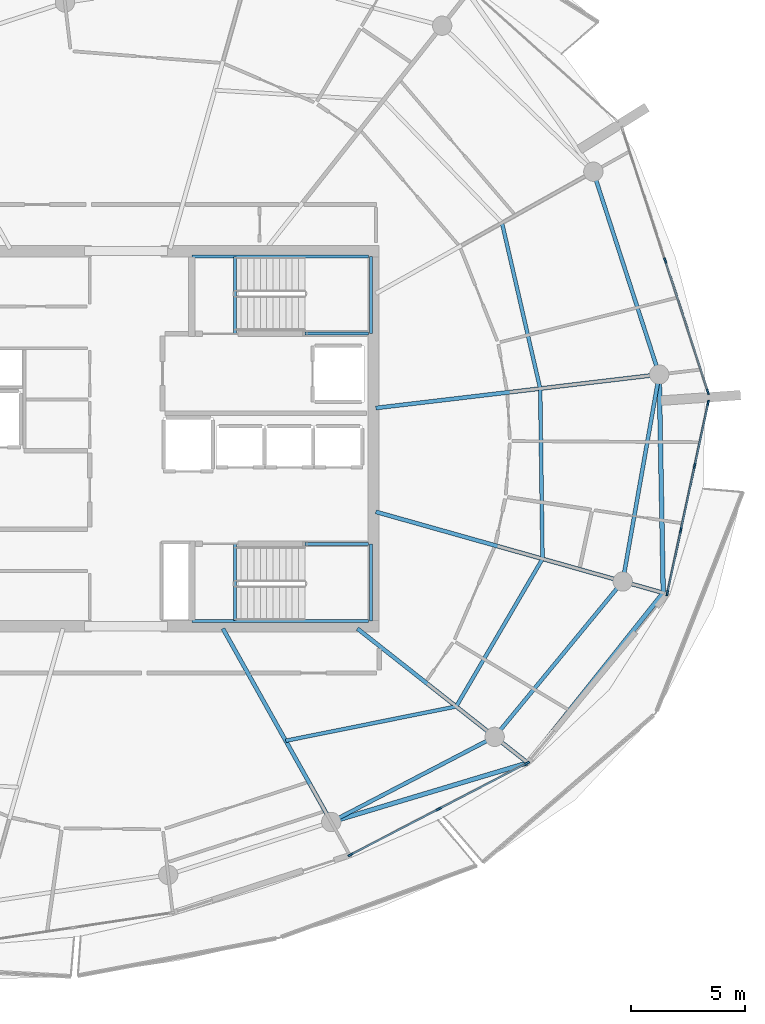
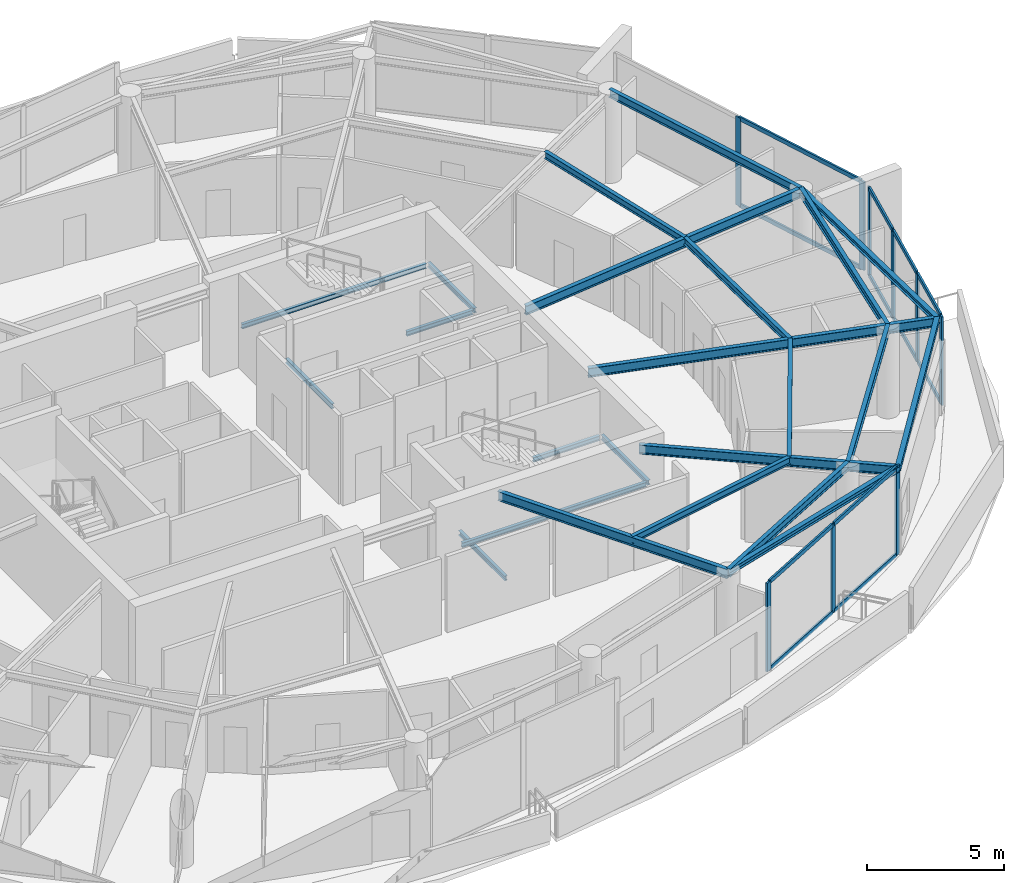
# One storey, part 6 of 20: 23 beams, 21 members, 3 elements without a shape of their own.
"""IFC4 building model written with IfcOpenShell, lengths in metres."""

from ifc_helpers import new_model, si_unit, direction, frame, origin, origin_2d, place, context, subcontext, project, spatial, rectangle, i_section, extrude, material, layer, layer_set, material_profile, profile_set, type_object, element, aggregate, save


model = new_model("IFC4")

# Units and contexts
model_context = context("Model", 3, precision=1e-05, world=origin(), true_north=direction((0.0, 1.0)))
body_context = subcontext(model_context, "Body", "Model", "MODEL_VIEW")
ifc_project = project(units=[si_unit("LENGTHUNIT", "METRE"), si_unit("AREAUNIT", "SQUARE_METRE"), si_unit("VOLUMEUNIT", "CUBIC_METRE"), si_unit("PLANEANGLEUNIT", "RADIAN"), si_unit("MASSUNIT", "GRAM", prefix="KILO")], contexts=[model_context])

# Site, building, storey
site_placement = place(None, origin())
site = spatial("IfcSite", under=ifc_project, at=site_placement, CompositionType="ELEMENT")
building_placement = place(site_placement, origin())
building = spatial("IfcBuilding", under=site, at=building_placement, Name="Kazma Halo Residences", CompositionType="ELEMENT")
storey_placement = place(building_placement, frame((0.0, 0.0, 317.89990234375)))
storey = spatial("IfcBuildingStorey", under=building, at=storey_placement, Name="L80", CompositionType="ELEMENT", Elevation=317.89990234375)

# Beams
ifc_material_1 = material(Name="Steel S355", Category="steel")
ifc_material_profile_1 = material_profile(ifc_material_1, i_section(OverallWidth=0.201904296875, OverallDepth=0.2470703125, WebThickness=0.00732421875, FlangeThickness=0.010986328125, FilletRadius=0.011962890625, at=origin_2d()), Name="W250x49.1")
ifc_profile_set_1 = profile_set([ifc_material_profile_1], Name="Steel S355")
beam_type_1 = type_object("IfcBeamType", Name="BM-BAL-CANT", PredefinedType="BEAM", material=ifc_profile_set_1)
beam_1_placement = place(storey_placement, frame((57.436767578125, 25.1494140625, 3.816650390625), z_axis=(0.957652623349, 0.287926124193, 0.0), x_axis=(-0.287926124193, 0.957652623349, 0.0)))
element("IfcBeam", 1, at=beam_1_placement, inside=storey, type_object=beam_type_1, Name="L80 wave-balcony lead tie beam 13", PredefinedType="BEAM", context=body_context, shape_type="SweptSolid", body=[
    extrude(i_section(OverallWidth=0.201904296875, OverallDepth=0.2470703125, WebThickness=0.00732421875, FlangeThickness=0.010986328125, FilletRadius=0.011962890625, at=origin_2d()), origin(), (0.0, 0.0, 1.0), 9.0244140625),
])
beam_2_placement = place(storey_placement, frame((66.0791015625, 27.747802734375, 3.816650390625), z_axis=(0.623310870646, 0.781974141858, 0.0), x_axis=(-0.781974141858, 0.623310870646, 0.0)))
element("IfcBeam", 2, at=beam_2_placement, inside=storey, type_object=beam_type_1, Name="L80 wave-balcony tie beam 14", PredefinedType="BEAM", context=body_context, shape_type="SweptSolid", body=[
    extrude(i_section(OverallWidth=0.201904296875, OverallDepth=0.2470703125, WebThickness=0.00732421875, FlangeThickness=0.010986328125, FilletRadius=0.011962890625, at=origin_2d()), origin(), (0.0, 0.0, 1.0), 9.55712890625),
])
beam_3_placement = place(storey_placement, frame((72.0361328125, 35.22119140625, 3.816650390625), z_axis=(-0.018301708623, 0.999832509704, 0.0), x_axis=(-0.999832509704, -0.018301708623, 0.0)))
element("IfcBeam", 3, at=beam_3_placement, inside=storey, type_object=beam_type_1, Name="L80 wave-balcony tie beam 15", PredefinedType="BEAM", context=body_context, shape_type="SweptSolid", body=[
    extrude(i_section(OverallWidth=0.201904296875, OverallDepth=0.2470703125, WebThickness=0.00732421875, FlangeThickness=0.010986328125, FilletRadius=0.011962890625, at=origin_2d()), origin(), (0.0, 0.0, 1.0), 9.604736328125),
])
ifc_material_profile_2 = material_profile(ifc_material_1, i_section(OverallWidth=0.177978515625, OverallDepth=0.406982421875, WebThickness=0.0078125, FlangeThickness=0.0126953125, FilletRadius=0.013916015625, at=origin_2d()), Name="W410x60")
ifc_profile_set_2 = profile_set([ifc_material_profile_2], Name="Steel S355")
beam_type_2 = type_object("IfcBeamType", Name="BM-RAD-W410", PredefinedType="BEAM", material=ifc_profile_set_2)
beam_4_placement = place(storey_placement, frame((52.67626953125, 33.64990234375, 3.736572265625), z_axis=(0.488620919127, -0.872496187608, 0.0), x_axis=(0.872496187608, 0.488620919127, 0.0)))
element("IfcBeam", 4, at=beam_4_placement, inside=storey, type_object=beam_type_2, Name="L80 radial floor beam 13", PredefinedType="BEAM", context=body_context, shape_type="SweptSolid", body=[
    extrude(i_section(OverallWidth=0.177978515625, OverallDepth=0.406982421875, WebThickness=0.0078125, FlangeThickness=0.0126953125, FilletRadius=0.013916015625, at=origin_2d()), origin(), (0.0, 0.0, 1.0), 9.74267578125),
])
beam_5_placement = place(storey_placement, frame((58.591796875, 33.64990234375, 3.736572265625), z_axis=(0.785338117696, -0.619067073017, 0.0), x_axis=(0.619067073017, 0.785338117696, 0.0)))
element("IfcBeam", 5, at=beam_5_placement, inside=storey, type_object=beam_type_2, Name="L80 radial floor beam 14", PredefinedType="BEAM", context=body_context, shape_type="SweptSolid", body=[
    extrude(i_section(OverallWidth=0.177978515625, OverallDepth=0.406982421875, WebThickness=0.0078125, FlangeThickness=0.0126953125, FilletRadius=0.013916015625, at=origin_2d()), origin(), (0.0, 0.0, 1.0), 9.533935546875),
])
beam_6_placement = place(storey_placement, frame((59.39990234375, 38.784912109375, 3.736572265625), z_axis=(0.962456527183, -0.271435873243, 0.0), x_axis=(0.271435873243, 0.962456527183, 0.0)))
element("IfcBeam", 6, at=beam_6_placement, inside=storey, type_object=beam_type_2, Name="L80 radial floor beam 15", PredefinedType="BEAM", context=body_context, shape_type="SweptSolid", body=[
    extrude(i_section(OverallWidth=0.177978515625, OverallDepth=0.406982421875, WebThickness=0.0078125, FlangeThickness=0.0126953125, FilletRadius=0.013916015625, at=origin_2d()), origin(), (0.0, 0.0, 1.0), 13.129150390625),
])
beam_7_placement = place(storey_placement, frame((59.39990234375, 43.349365234375, 3.736572265625), z_axis=(0.993067878665, 0.117542283299, 0.0), x_axis=(-0.117542283299, 0.993067878665, 0.0)))
element("IfcBeam", 7, at=beam_7_placement, inside=storey, type_object=beam_type_2, Name="L80 radial floor beam 16", PredefinedType="BEAM", context=body_context, shape_type="SweptSolid", body=[
    extrude(i_section(OverallWidth=0.177978515625, OverallDepth=0.406982421875, WebThickness=0.0078125, FlangeThickness=0.0126953125, FilletRadius=0.013916015625, at=origin_2d()), origin(), (0.0, 0.0, 1.0), 12.54736328125),
])
ifc_material_profile_3 = material_profile(ifc_material_1, i_section(OverallWidth=0.1650390625, OverallDepth=0.31005859375, WebThickness=0.005859375, FlangeThickness=0.009765625, FilletRadius=0.011962890625, at=origin_2d()), Name="W310x38.7")
ifc_profile_set_3 = profile_set([ifc_material_profile_3], Name="Steel S355")
beam_type_3 = type_object("IfcBeamType", Name="BM-SEC-W310B", PredefinedType="JOIST", material=ifc_profile_set_3)
beam_8_placement = place(storey_placement, frame((55.437255859375, 28.719482421875, 3.78515625), z_axis=(0.980381248206, 0.197110649551, 0.0), x_axis=(-0.197110649551, 0.980381248206, 0.0)))
element("IfcBeam", 8, at=beam_8_placement, inside=storey, type_object=beam_type_3, Name="L80 circumferential floor joist 13", PredefinedType="JOIST", context=body_context, shape_type="SweptSolid", body=[
    extrude(i_section(OverallWidth=0.1650390625, OverallDepth=0.31005859375, WebThickness=0.005859375, FlangeThickness=0.009765625, FilletRadius=0.011962890625, at=origin_2d()), origin(), (0.0, 0.0, 1.0), 7.647216796875),
])
beam_9_placement = place(storey_placement, frame((62.934326171875, 30.226806640625, 3.78515625), z_axis=(0.504678344784, 0.863307458734, 0.0), x_axis=(-0.863307458734, 0.504678344784, 0.0)))
element("IfcBeam", 9, at=beam_9_placement, inside=storey, type_object=beam_type_3, Name="L80 circumferential floor joist 14", PredefinedType="JOIST", context=body_context, shape_type="SweptSolid", body=[
    extrude(i_section(OverallWidth=0.1650390625, OverallDepth=0.31005859375, WebThickness=0.005859375, FlangeThickness=0.009765625, FilletRadius=0.011962890625, at=origin_2d()), origin(), (0.0, 0.0, 1.0), 7.51904296875),
])
beam_10_placement = place(storey_placement, frame((66.72900390625, 36.718017578125, 3.78515625), z_axis=(-0.013629909387, 0.999907108471, 0.0), x_axis=(-0.999907108471, -0.013629909387, 0.0)))
element("IfcBeam", 10, at=beam_10_placement, inside=storey, type_object=beam_type_3, Name="L80 circumferential floor joist 15", PredefinedType="JOIST", context=body_context, shape_type="SweptSolid", body=[
    extrude(i_section(OverallWidth=0.1650390625, OverallDepth=0.31005859375, WebThickness=0.005859375, FlangeThickness=0.009765625, FilletRadius=0.011962890625, at=origin_2d()), origin(), (0.0, 0.0, 1.0), 7.4873046875),
])
beam_11_placement = place(storey_placement, frame((66.626953125, 44.20458984375, 3.78515625), z_axis=(-0.224709269338, 0.974425853656, 0.0), x_axis=(-0.974425853656, -0.224709269338, 0.0)))
element("IfcBeam", 11, at=beam_11_placement, inside=storey, type_object=beam_type_3, Name="L80 circumferential floor joist 16", PredefinedType="JOIST", context=body_context, shape_type="SweptSolid", body=[
    extrude(i_section(OverallWidth=0.1650390625, OverallDepth=0.31005859375, WebThickness=0.005859375, FlangeThickness=0.009765625, FilletRadius=0.011962890625, at=origin_2d()), origin(), (0.0, 0.0, 1.0), 7.47705078125),
])
ifc_material_profile_4 = material_profile(ifc_material_1, i_section(OverallWidth=0.1708984375, OverallDepth=0.35498046875, WebThickness=0.007080078125, FlangeThickness=0.01171875, FilletRadius=0.013916015625, at=origin_2d()), Name="W360x51")
ifc_profile_set_4 = profile_set([ifc_material_profile_4], Name="Steel S355")
beam_type_4 = type_object("IfcBeamType", Name="BM-SPN-W360", PredefinedType="BEAM", material=ifc_profile_set_4)
beam_12_placement = place(storey_placement, frame((57.436767578125, 25.1494140625, 3.7626953125), z_axis=(0.886957269655, 0.461851493238, 0.0), x_axis=(-0.461851493238, 0.886957269655, 0.0)))
element("IfcBeam", 12, at=beam_12_placement, inside=storey, type_object=beam_type_4, Name="L80 perimeter ring beam 13", PredefinedType="BEAM", context=body_context, shape_type="SweptSolid", body=[
    extrude(i_section(OverallWidth=0.1708984375, OverallDepth=0.35498046875, WebThickness=0.007080078125, FlangeThickness=0.01171875, FilletRadius=0.013916015625, at=origin_2d()), origin(), (0.0, 0.0, 1.0), 8.105712890625),
])
beam_13_placement = place(storey_placement, frame((64.626220703125, 28.89306640625, 3.7626953125), z_axis=(0.636004986424, 0.771684946881, 0.0), x_axis=(-0.771684946881, 0.636004986424, 0.0)))
element("IfcBeam", 13, at=beam_13_placement, inside=storey, type_object=beam_type_4, Name="L80 perimeter ring beam 14", PredefinedType="BEAM", context=body_context, shape_type="SweptSolid", body=[
    extrude(i_section(OverallWidth=0.1708984375, OverallDepth=0.35498046875, WebThickness=0.007080078125, FlangeThickness=0.01171875, FilletRadius=0.013916015625, at=origin_2d()), origin(), (0.0, 0.0, 1.0), 8.85107421875),
])
beam_14_placement = place(storey_placement, frame((70.255615234375, 35.723388671875, 3.7626953125), z_axis=(0.173649692956, 0.984807485825, 0.0), x_axis=(-0.984807485825, 0.173649692956, 0.0)))
element("IfcBeam", 14, at=beam_14_placement, inside=storey, type_object=beam_type_4, Name="L80 perimeter ring beam 15", PredefinedType="BEAM", context=body_context, shape_type="SweptSolid", body=[
    extrude(i_section(OverallWidth=0.1708984375, OverallDepth=0.35498046875, WebThickness=0.007080078125, FlangeThickness=0.01171875, FilletRadius=0.013916015625, at=origin_2d()), origin(), (0.0, 0.0, 1.0), 9.2412109375),
])
beam_15_placement = place(storey_placement, frame((71.8603515625, 44.82421875, 3.7626953125), z_axis=(-0.309023062674, 0.951054544564, 0.0), x_axis=(-0.951054544564, -0.309023062674, 0.0)))
element("IfcBeam", 15, at=beam_15_placement, inside=storey, type_object=beam_type_4, Name="L80 perimeter ring beam 16", PredefinedType="BEAM", context=body_context, shape_type="SweptSolid", body=[
    extrude(i_section(OverallWidth=0.1708984375, OverallDepth=0.35498046875, WebThickness=0.007080078125, FlangeThickness=0.01171875, FilletRadius=0.013916015625, at=origin_2d()), origin(), (0.0, 0.0, 1.0), 9.37451171875),
])
ifc_material_profile_5 = material_profile(ifc_material_1, i_section(OverallWidth=0.133056640625, OverallDepth=0.20703125, WebThickness=0.005859375, FlangeThickness=0.00830078125, FilletRadius=0.010009765625, at=origin_2d()), Name="W200x26.6")
ifc_profile_set_5 = profile_set([ifc_material_profile_5], Name="Steel S355")
beam_type_5 = type_object("IfcBeamType", Name="BM-TRIM-W200", PredefinedType="BEAM", material=ifc_profile_set_5)
for number, where, z_axis, x_axis, name in (
    (16, (53.199951171875, 46.6201171875, -0.369873046875), (0.0, 1.0, 0.0), (-1.0, 0.0, 0.0), "L80 ST-02 floor landing support beam"),
    (17, (53.199951171875, 34.0, -0.369873046875), (0.0, 1.0, 0.0), (-1.0, 0.0, 0.0), "L80 ST-03 floor landing support beam"),
):
    element("IfcBeam", number, at=place(storey_placement, frame(where, z_axis=z_axis, x_axis=x_axis)), inside=storey, type_object=beam_type_5, Name=name, PredefinedType="BEAM", context=body_context, shape_type="SweptSolid", body=[
        extrude(i_section(OverallWidth=0.133056640625, OverallDepth=0.20703125, WebThickness=0.005859375, FlangeThickness=0.00830078125, FilletRadius=0.010009765625, at=origin_2d()), origin(), (0.0, 0.0, 1.0), 3.3798828125),
    ])
beam_16_placement = place(storey_placement, frame((51.31005859375, 50.02001953125, 1.795166015625), z_axis=(1.0, 0.0, 0.0), x_axis=(0.0, 1.0, 0.0)))
element("IfcBeam", 18, at=beam_16_placement, inside=storey, type_object=beam_type_5, Name="L80 ST-02 landing north wall ledger", PredefinedType="BEAM", context=body_context, shape_type="SweptSolid", body=[
    extrude(i_section(OverallWidth=0.133056640625, OverallDepth=0.20703125, WebThickness=0.005859375, FlangeThickness=0.00830078125, FilletRadius=0.010009765625, at=origin_2d()), origin(), (0.0, 0.0, 1.0), 7.760009765625),
])
beam_17_placement = place(storey_placement, frame((56.280029296875, 46.6201171875, 1.795166015625), z_axis=(1.0, 0.0, 0.0), x_axis=(0.0, 1.0, 0.0)))
element("IfcBeam", 19, at=beam_17_placement, inside=storey, type_object=beam_type_5, Name="L80 ST-02 landing south wall ledger", PredefinedType="BEAM", context=body_context, shape_type="SweptSolid", body=[
    extrude(i_section(OverallWidth=0.133056640625, OverallDepth=0.20703125, WebThickness=0.005859375, FlangeThickness=0.00830078125, FilletRadius=0.010009765625, at=origin_2d()), origin(), (0.0, 0.0, 1.0), 2.7900390625),
])
beam_18_placement = place(storey_placement, frame((59.18994140625, 46.6201171875, 1.795166015625), z_axis=(0.0, 1.0, 0.0), x_axis=(-1.0, 0.0, 0.0)))
element("IfcBeam", 20, at=beam_18_placement, inside=storey, type_object=beam_type_5, Name="L80 ST-02 landing end wall ledger", PredefinedType="BEAM", context=body_context, shape_type="SweptSolid", body=[
    extrude(i_section(OverallWidth=0.133056640625, OverallDepth=0.20703125, WebThickness=0.005859375, FlangeThickness=0.00830078125, FilletRadius=0.010009765625, at=origin_2d()), origin(), (0.0, 0.0, 1.0), 3.39990234375),
])
beam_19_placement = place(storey_placement, frame((51.31005859375, 33.97998046875, 1.795166015625), z_axis=(1.0, 0.0, 0.0), x_axis=(0.0, 1.0, 0.0)))
element("IfcBeam", 21, at=beam_19_placement, inside=storey, type_object=beam_type_5, Name="L80 ST-03 landing south wall ledger", PredefinedType="BEAM", context=body_context, shape_type="SweptSolid", body=[
    extrude(i_section(OverallWidth=0.133056640625, OverallDepth=0.20703125, WebThickness=0.005859375, FlangeThickness=0.00830078125, FilletRadius=0.010009765625, at=origin_2d()), origin(), (0.0, 0.0, 1.0), 7.760009765625),
])
beam_20_placement = place(storey_placement, frame((56.280029296875, 37.3798828125, 1.795166015625), z_axis=(1.0, 0.0, 0.0), x_axis=(0.0, 1.0, 0.0)))
element("IfcBeam", 22, at=beam_20_placement, inside=storey, type_object=beam_type_5, Name="L80 ST-03 landing north wall ledger", PredefinedType="BEAM", context=body_context, shape_type="SweptSolid", body=[
    extrude(i_section(OverallWidth=0.133056640625, OverallDepth=0.20703125, WebThickness=0.005859375, FlangeThickness=0.00830078125, FilletRadius=0.010009765625, at=origin_2d()), origin(), (0.0, 0.0, 1.0), 2.7900390625),
])
beam_21_placement = place(storey_placement, frame((59.18994140625, 33.97998046875, 1.795166015625), z_axis=(0.0, 1.0, 0.0), x_axis=(-1.0, 0.0, 0.0)))
element("IfcBeam", 23, at=beam_21_placement, inside=storey, type_object=beam_type_5, Name="L80 ST-03 landing end wall ledger", PredefinedType="BEAM", context=body_context, shape_type="SweptSolid", body=[
    extrude(i_section(OverallWidth=0.133056640625, OverallDepth=0.20703125, WebThickness=0.005859375, FlangeThickness=0.00830078125, FilletRadius=0.010009765625, at=origin_2d()), origin(), (0.0, 0.0, 1.0), 3.39990234375),
])

# Curtain wall, members
ifc_material_2 = material(Name="Aluminium AW-6063 T6 and Triple-Silver Low-E Glass", Category="aluminium")
ifc_layer = layer(ifc_material_2, 0.239990234375)
ifc_layer_set = layer_set([ifc_layer], Name="Aluminium AW-6063 T6 and Triple-Silver Low-E Glass")
curtain_wall_type = type_object("IfcCurtainWallType", Name="CW-SYS-6", PredefinedType="NOTDEFINED", material=ifc_layer_set)
curtain_wall_1_placement = place(storey_placement, origin())
curtain_wall_1 = element("IfcCurtainWall", 24, at=curtain_wall_1_placement, inside=storey, type_object=curtain_wall_type, Name="L80 unitised curtain wall B13", PredefinedType="NOTDEFINED")
ifc_material_3 = material(Name="Aluminium AW-6063 T6", Category="aluminium")
ifc_material_profile_6 = material_profile(ifc_material_3, rectangle(XDim=0.080078125, YDim=0.239990234375, at=origin_2d()), Name="CWM-80x240")
ifc_profile_set_6 = profile_set([ifc_material_profile_6], Name="Aluminium AW-6063 T6")
member_type_1 = type_object("IfcMemberType", Name="CW-SYS-6-MUL", PredefinedType="MULLION", material=ifc_profile_set_6)
member_1_placement = place(storey_placement, frame((58.290283203125, 23.70703125, 0.0), z_axis=(0.0, 0.0, 1.0), x_axis=(-0.460796020861, 0.887506071618, 0.0)))
member_1 = element("IfcMember", 25, at=member_1_placement, type_object=member_type_1, Name="CWS-6 mullion 1", PredefinedType="MULLION", context=body_context, shape_type="SweptSolid", body=[
    extrude(rectangle(XDim=0.080078125, YDim=0.239990234375, at=origin_2d()), origin(), (0.0, 0.0, 1.0), 3.940185546875),
])
member_2_placement = place(storey_placement, frame((62.16552734375, 25.71923828125, 0.0), z_axis=(0.0, 0.0, 1.0), x_axis=(-0.460796020861, 0.887506071618, 0.0)))
member_2 = element("IfcMember", 26, at=member_2_placement, type_object=member_type_1, Name="CWS-6 mullion 2", PredefinedType="MULLION", context=body_context, shape_type="SweptSolid", body=[
    extrude(rectangle(XDim=0.080078125, YDim=0.239990234375, at=origin_2d()), origin(), (0.0, 0.0, 1.0), 3.940185546875),
])
member_3_placement = place(storey_placement, frame((66.041015625, 27.731201171875, 0.0), z_axis=(0.0, 0.0, 1.0), x_axis=(-0.460796020861, 0.887506071618, 0.0)))
member_3 = element("IfcMember", 27, at=member_3_placement, type_object=member_type_1, Name="CWS-6 mullion 3", PredefinedType="MULLION", context=body_context, shape_type="SweptSolid", body=[
    extrude(rectangle(XDim=0.080078125, YDim=0.239990234375, at=origin_2d()), origin(), (0.0, 0.0, 1.0), 3.940185546875),
])

curtain_wall_2_placement = place(storey_placement, origin())
curtain_wall_2 = element("IfcCurtainWall", 28, at=curtain_wall_2_placement, inside=storey, type_object=curtain_wall_type, Name="L80 unitised curtain wall B15", PredefinedType="NOTDEFINED")
member_4_placement = place(storey_placement, frame((72.2158203125, 35.2119140625, 0.0), z_axis=(0.0, 0.0, 1.0), x_axis=(-0.977760865363, 0.209722888986, 0.0)))
member_4 = element("IfcMember", 29, at=member_4_placement, type_object=member_type_1, Name="CWS-6 mullion 1", PredefinedType="MULLION", context=body_context, shape_type="SweptSolid", body=[
    extrude(rectangle(XDim=0.080078125, YDim=0.239990234375, at=origin_2d()), origin(), (0.0, 0.0, 1.0), 3.940185546875),
])
member_5_placement = place(storey_placement, frame((72.81103515625, 37.986572265625, 0.0), z_axis=(0.0, 0.0, 1.0), x_axis=(-0.977760865363, 0.209722888986, 0.0)))
member_5 = element("IfcMember", 30, at=member_5_placement, type_object=member_type_1, Name="CWS-6 mullion 2", PredefinedType="MULLION", context=body_context, shape_type="SweptSolid", body=[
    extrude(rectangle(XDim=0.080078125, YDim=0.239990234375, at=origin_2d()), origin(), (0.0, 0.0, 1.0), 3.940185546875),
])
member_6_placement = place(storey_placement, frame((73.41455078125, 40.80029296875, 0.0), z_axis=(0.0, 0.0, 1.0), x_axis=(-0.977760865363, 0.209722888986, 0.0)))
member_6 = element("IfcMember", 31, at=member_6_placement, type_object=member_type_1, Name="CWS-6 mullion 3", PredefinedType="MULLION", context=body_context, shape_type="SweptSolid", body=[
    extrude(rectangle(XDim=0.080078125, YDim=0.239990234375, at=origin_2d()), origin(), (0.0, 0.0, 1.0), 3.940185546875),
])
member_7_placement = place(storey_placement, frame((74.009765625, 43.574951171875, 0.0), z_axis=(0.0, 0.0, 1.0), x_axis=(-0.977760865363, 0.209722888986, 0.0)))
member_7 = element("IfcMember", 32, at=member_7_placement, type_object=member_type_1, Name="CWS-6 mullion 4", PredefinedType="MULLION", context=body_context, shape_type="SweptSolid", body=[
    extrude(rectangle(XDim=0.080078125, YDim=0.239990234375, at=origin_2d()), origin(), (0.0, 0.0, 1.0), 3.940185546875),
])

curtain_wall_3_placement = place(storey_placement, origin())
curtain_wall_3 = element("IfcCurtainWall", 33, at=curtain_wall_3_placement, inside=storey, type_object=curtain_wall_type, Name="L80 unitised curtain wall B16", PredefinedType="NOTDEFINED")
member_8_placement = place(storey_placement, frame((73.9990234375, 44.062255859375, 0.0), z_axis=(0.0, 0.0, 1.0), x_axis=(-0.951055886462, -0.309018932797, 0.0)))
member_8 = element("IfcMember", 34, at=member_8_placement, type_object=member_type_1, Name="CWS-6 mullion 1", PredefinedType="MULLION", context=body_context, shape_type="SweptSolid", body=[
    extrude(rectangle(XDim=0.080078125, YDim=0.239990234375, at=origin_2d()), origin(), (0.0, 0.0, 1.0), 3.940185546875),
])
member_9_placement = place(storey_placement, frame((72.12255859375, 49.837890625, 0.0), z_axis=(0.0, 0.0, 1.0), x_axis=(-0.951055886462, -0.309018932797, 0.0)))
member_9 = element("IfcMember", 35, at=member_9_placement, type_object=member_type_1, Name="CWS-6 mullion 2", PredefinedType="MULLION", context=body_context, shape_type="SweptSolid", body=[
    extrude(rectangle(XDim=0.080078125, YDim=0.239990234375, at=origin_2d()), origin(), (0.0, 0.0, 1.0), 3.940185546875),
])

# Member
ifc_material_profile_7 = material_profile(ifc_material_3, rectangle(XDim=0.080078125, YDim=0.179931640625, at=origin_2d()), Name="CWT-80x180")
ifc_profile_set_7 = profile_set([ifc_material_profile_7], Name="Aluminium AW-6063 T6")
member_type_2 = type_object("IfcMemberType", Name="CW-SYS-6-TRN", PredefinedType="USERDEFINED", material=ifc_profile_set_7)
member_10_placement = place(storey_placement, frame((58.32568359375, 23.7255859375, 0.0400390625), z_axis=(0.88752339951, 0.460762645321, 0.0), x_axis=(-0.460762645321, 0.88752339951, 0.0)))
member_10 = element("IfcMember", 36, at=member_10_placement, type_object=member_type_2, Name="CWS-6 transom 1.1", ObjectType="TRANSOM", PredefinedType="USERDEFINED", context=body_context, shape_type="SweptSolid", body=[
    extrude(rectangle(XDim=0.080078125, YDim=0.179931640625, at=origin_2d()), origin(), (0.0, 0.0, 1.0), 4.28662109375),
])

member_11_placement = place(storey_placement, frame((58.32568359375, 23.7255859375, 3.900146484375), z_axis=(0.88752339951, 0.460762645321, 0.0), x_axis=(-0.460762645321, 0.88752339951, 0.0)))
member_11 = element("IfcMember", 37, at=member_11_placement, type_object=member_type_2, Name="CWS-6 transom 1.2", ObjectType="TRANSOM", PredefinedType="USERDEFINED", context=body_context, shape_type="SweptSolid", body=[
    extrude(rectangle(XDim=0.080078125, YDim=0.179931640625, at=origin_2d()), origin(), (0.0, 0.0, 1.0), 4.28662109375),
])

member_12_placement = place(storey_placement, frame((62.201171875, 25.737548828125, 0.0400390625), z_axis=(0.887488013571, 0.4608307995, 0.0), x_axis=(-0.4608307995, 0.887488013571, 0.0)))
member_12 = element("IfcMember", 38, at=member_12_placement, type_object=member_type_2, Name="CWS-6 transom 2.1", ObjectType="TRANSOM", PredefinedType="USERDEFINED", context=body_context, shape_type="SweptSolid", body=[
    extrude(rectangle(XDim=0.080078125, YDim=0.179931640625, at=origin_2d()), origin(), (0.0, 0.0, 1.0), 4.286376953125),
])

member_13_placement = place(storey_placement, frame((62.201171875, 25.737548828125, 3.900146484375), z_axis=(0.887488013571, 0.4608307995, 0.0), x_axis=(-0.4608307995, 0.887488013571, 0.0)))
member_13 = element("IfcMember", 39, at=member_13_placement, type_object=member_type_2, Name="CWS-6 transom 2.2", ObjectType="TRANSOM", PredefinedType="USERDEFINED", context=body_context, shape_type="SweptSolid", body=[
    extrude(rectangle(XDim=0.080078125, YDim=0.179931640625, at=origin_2d()), origin(), (0.0, 0.0, 1.0), 4.286376953125),
])

aggregate(curtain_wall_1, [member_1, member_2, member_3, member_10, member_11, member_12, member_13])

member_14_placement = place(storey_placement, frame((72.224365234375, 35.2509765625, 0.0400390625), z_axis=(0.209716499477, 0.977762235846, 0.0), x_axis=(-0.977762235846, 0.209716499477, 0.0)))
member_14 = element("IfcMember", 40, at=member_14_placement, type_object=member_type_2, Name="CWS-6 transom 1.1", ObjectType="TRANSOM", PredefinedType="USERDEFINED", context=body_context, shape_type="SweptSolid", body=[
    extrude(rectangle(XDim=0.080078125, YDim=0.179931640625, at=origin_2d()), origin(), (0.0, 0.0, 1.0), 2.7578125),
])

member_15_placement = place(storey_placement, frame((72.224365234375, 35.2509765625, 3.900146484375), z_axis=(0.209716499477, 0.977762235846, 0.0), x_axis=(-0.977762235846, 0.209716499477, 0.0)))
member_15 = element("IfcMember", 41, at=member_15_placement, type_object=member_type_2, Name="CWS-6 transom 1.2", ObjectType="TRANSOM", PredefinedType="USERDEFINED", context=body_context, shape_type="SweptSolid", body=[
    extrude(rectangle(XDim=0.080078125, YDim=0.179931640625, at=origin_2d()), origin(), (0.0, 0.0, 1.0), 2.7578125),
])

member_16_placement = place(storey_placement, frame((72.8193359375, 38.025634765625, 0.0400390625), z_axis=(0.209773410621, 0.977750027459, 0.0), x_axis=(-0.977750027459, 0.209773410621, 0.0)))
member_16 = element("IfcMember", 42, at=member_16_placement, type_object=member_type_2, Name="CWS-6 transom 2.1", ObjectType="TRANSOM", PredefinedType="USERDEFINED", context=body_context, shape_type="SweptSolid", body=[
    extrude(rectangle(XDim=0.080078125, YDim=0.179931640625, at=origin_2d()), origin(), (0.0, 0.0, 1.0), 2.7978515625),
])

member_17_placement = place(storey_placement, frame((72.8193359375, 38.025634765625, 3.900146484375), z_axis=(0.209773410621, 0.977750027459, 0.0), x_axis=(-0.977750027459, 0.209773410621, 0.0)))
member_17 = element("IfcMember", 43, at=member_17_placement, type_object=member_type_2, Name="CWS-6 transom 2.2", ObjectType="TRANSOM", PredefinedType="USERDEFINED", context=body_context, shape_type="SweptSolid", body=[
    extrude(rectangle(XDim=0.080078125, YDim=0.179931640625, at=origin_2d()), origin(), (0.0, 0.0, 1.0), 2.7978515625),
])

member_18_placement = place(storey_placement, frame((73.4228515625, 40.83935546875, 0.0400390625), z_axis=(0.209716499477, 0.977762235846, 0.0), x_axis=(-0.977762235846, 0.209716499477, 0.0)))
member_18 = element("IfcMember", 44, at=member_18_placement, type_object=member_type_2, Name="CWS-6 transom 3.1", ObjectType="TRANSOM", PredefinedType="USERDEFINED", context=body_context, shape_type="SweptSolid", body=[
    extrude(rectangle(XDim=0.080078125, YDim=0.179931640625, at=origin_2d()), origin(), (0.0, 0.0, 1.0), 2.7578125),
])

member_19_placement = place(storey_placement, frame((73.4228515625, 40.83935546875, 3.900146484375), z_axis=(0.209716499477, 0.977762235846, 0.0), x_axis=(-0.977762235846, 0.209716499477, 0.0)))
member_19 = element("IfcMember", 45, at=member_19_placement, type_object=member_type_2, Name="CWS-6 transom 3.2", ObjectType="TRANSOM", PredefinedType="USERDEFINED", context=body_context, shape_type="SweptSolid", body=[
    extrude(rectangle(XDim=0.080078125, YDim=0.179931640625, at=origin_2d()), origin(), (0.0, 0.0, 1.0), 2.7578125),
])

aggregate(curtain_wall_2, [member_4, member_5, member_6, member_7, member_14, member_15, member_16, member_17, member_18, member_19])

member_20_placement = place(storey_placement, frame((73.986572265625, 44.100341796875, 0.0400390625), z_axis=(-0.309007770724, 0.951059513191, 0.0), x_axis=(-0.951059513191, -0.309007770724, 0.0)))
member_20 = element("IfcMember", 46, at=member_20_placement, type_object=member_type_2, Name="CWS-6 transom 1.1", ObjectType="TRANSOM", PredefinedType="USERDEFINED", context=body_context, shape_type="SweptSolid", body=[
    extrude(rectangle(XDim=0.080078125, YDim=0.179931640625, at=origin_2d()), origin(), (0.0, 0.0, 1.0), 5.99267578125),
])

member_21_placement = place(storey_placement, frame((73.986572265625, 44.100341796875, 3.900146484375), z_axis=(-0.309007770724, 0.951059513191, 0.0), x_axis=(-0.951059513191, -0.309007770724, 0.0)))
member_21 = element("IfcMember", 47, at=member_21_placement, type_object=member_type_2, Name="CWS-6 transom 1.2", ObjectType="TRANSOM", PredefinedType="USERDEFINED", context=body_context, shape_type="SweptSolid", body=[
    extrude(rectangle(XDim=0.080078125, YDim=0.179931640625, at=origin_2d()), origin(), (0.0, 0.0, 1.0), 5.99267578125),
])

aggregate(curtain_wall_3, [member_8, member_9, member_20, member_21])

save(model, "model.ifc")
